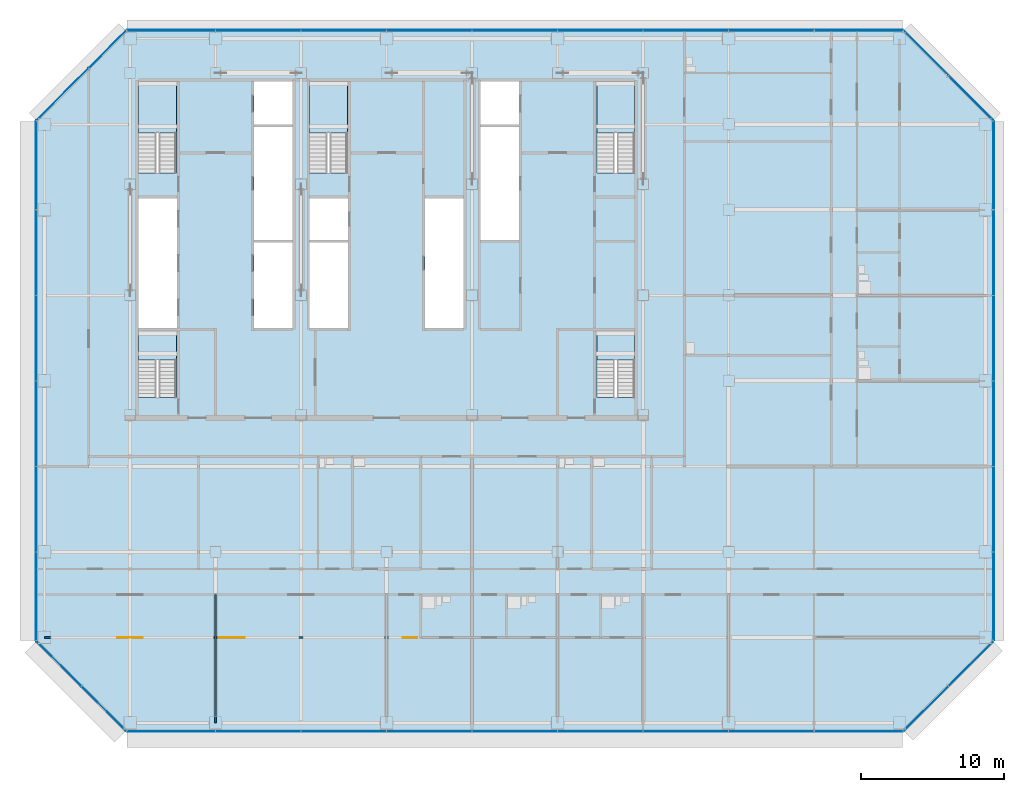
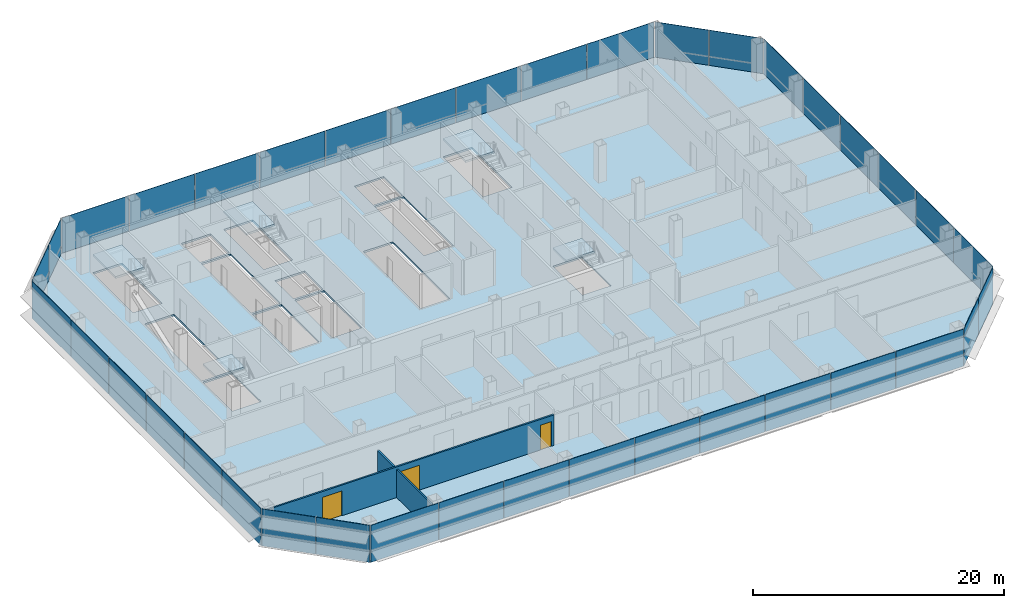
# One storey, part 19 of 26: 38 plates, 6 slabs, 3 doors, 2 walls, 3 openings, 13 elements without a shape of their own.
"""IFC4 building model written with IfcOpenShell, lengths in metres."""

from ifc_helpers import new_model, si_unit, direction, frame, frame_2d, origin, origin_2d, place, context, subcontext, project, spatial, polyline, rectangle, outline, extrude, material, layer, layer_set, type_object, element, fill, aggregate, save


model = new_model("IFC4")

# Units and contexts
model_context = context("Model", 3, precision=1e-05, world=origin(), true_north=direction((0.0, 1.0)))
body_context = subcontext(model_context, "Body", "Model", "MODEL_VIEW")
ifc_project = project(units=[si_unit("LENGTHUNIT", "METRE"), si_unit("AREAUNIT", "SQUARE_METRE"), si_unit("VOLUMEUNIT", "CUBIC_METRE"), si_unit("PLANEANGLEUNIT", "RADIAN"), si_unit("MASSUNIT", "GRAM", prefix="KILO")], contexts=[model_context])

# Site, building, storey
site_placement = place(None, origin())
site = spatial("IfcSite", under=ifc_project, at=site_placement, CompositionType="ELEMENT")
building_placement = place(site_placement, origin())
building = spatial("IfcBuilding", under=site, at=building_placement, Name="Sorahane Residences", CompositionType="ELEMENT")
storey_placement = place(building_placement, frame((0.0, 0.0, 71.39990234375)))
storey = spatial("IfcBuildingStorey", under=building, at=storey_placement, Name="L14", CompositionType="ELEMENT", Elevation=71.39990234375)

# Slab
ifc_material_1 = material(Name="Concrete C35", Category="concrete")
ifc_layer_1 = layer(ifc_material_1, 0.179931640625)
ifc_layer_set_1 = layer_set([ifc_layer_1], Name="Composite floor slab 180 mm Concrete C35")
slab_type_1 = type_object("IfcSlabType", Name="Composite floor slab 180 mm Concrete C35", PredefinedType="FLOOR", material=ifc_layer_set_1)
slab_1_placement = place(storey_placement, frame((0.0, 0.0, -0.179931640625)))
element("IfcSlab", 1, at=slab_1_placement, inside=storey, type_object=slab_type_1, Name="Slab L14", PredefinedType="FLOOR", context=body_context, shape_type="SweptSolid", body=[
    extrude(outline(polyline([(5.75146484375, -0.60009765625), (-0.60009765625, 5.75146484375), (-0.60009765625, 42.24853515625), (5.75146484375, 48.60009765625), (60.24853515625, 48.60009765625), (66.60009765625, 42.24853515625), (66.60009765625, 5.75146484375), (60.24853515625, -0.60009765625), (5.75146484375, -0.60009765625)]), holes=[polyline([(18.60009765625, 27.699951171875), (21.300048828125, 27.699951171875), (21.300048828125, 33.699951171875), (18.60009765625, 33.699951171875), (18.60009765625, 27.699951171875)]), polyline([(30.60009765625, 42.0), (33.300048828125, 42.0), (33.300048828125, 45.0), (30.60009765625, 45.0), (30.60009765625, 42.0)]), polyline([(14.699951171875, 27.699951171875), (17.39990234375, 27.699951171875), (17.39990234375, 33.699951171875), (14.699951171875, 33.699951171875), (14.699951171875, 27.699951171875)]), polyline([(14.699951171875, 42.0), (17.39990234375, 42.0), (17.39990234375, 45.0), (14.699951171875, 45.0), (14.699951171875, 42.0)]), polyline([(6.60009765625, 27.699951171875), (9.300048828125, 27.699951171875), (9.300048828125, 36.800048828125), (6.60009765625, 36.800048828125), (6.60009765625, 27.699951171875)]), polyline([(9.25, 38.60009765625), (9.25, 45.0), (6.60009765625, 45.0), (6.60009765625, 38.60009765625), (9.25, 38.60009765625)]), polyline([(41.39990234375, 38.60009765625), (41.39990234375, 45.0), (38.75, 45.0), (38.75, 38.60009765625), (41.39990234375, 38.60009765625)]), polyline([(21.25, 38.60009765625), (21.25, 45.0), (18.60009765625, 45.0), (18.60009765625, 38.60009765625), (21.25, 38.60009765625)]), polyline([(9.25, 22.85009765625), (9.25, 27.5), (6.60009765625, 27.5), (6.60009765625, 22.85009765625), (9.25, 22.85009765625)]), polyline([(41.39990234375, 22.85009765625), (41.39990234375, 27.5), (38.75, 27.5), (38.75, 22.85009765625), (41.39990234375, 22.85009765625)]), polyline([(14.699951171875, 33.89990234375), (17.39990234375, 33.89990234375), (17.39990234375, 41.800048828125), (14.699951171875, 41.800048828125), (14.699951171875, 33.89990234375)]), polyline([(30.60009765625, 33.89990234375), (33.300048828125, 33.89990234375), (33.300048828125, 41.800048828125), (30.60009765625, 41.800048828125), (30.60009765625, 33.89990234375)]), polyline([(18.60009765625, 33.89990234375), (21.300048828125, 33.89990234375), (21.300048828125, 36.800048828125), (18.60009765625, 36.800048828125), (18.60009765625, 33.89990234375)]), polyline([(26.699951171875, 27.699951171875), (29.39990234375, 27.699951171875), (29.39990234375, 36.800048828125), (26.699951171875, 36.800048828125), (26.699951171875, 27.699951171875)])]), origin(), (0.0, 0.0, 1.0), 0.179931640625),
])

# Curtain wall, plates
ifc_material_2 = material(Name="Dark low-e glass and black anodised aluminium", Category="aluminium")
curtain_wall_type_1 = type_object("IfcCurtainWallType", Name="Curtain wall CW-1 Typical unitised wall", PredefinedType="NOTDEFINED", material=ifc_material_2)
curtain_wall_1_placement = place(storey_placement, origin())
curtain_wall_1 = element("IfcCurtainWall", 2, at=curtain_wall_1_placement, inside=storey, type_object=curtain_wall_type_1, Name="CW-1 curtain wall L14 S1", PredefinedType="NOTDEFINED")
ifc_material_3 = material(Name="Dark low-e glass with black ceramic frit", Category="glass")
ifc_layer_2 = layer(ifc_material_3, 0.0400390625)
ifc_layer_set_2 = layer_set([ifc_layer_2], Name="Curtain wall glass panel dark low-e with black frit spandrel band")
plate_type = type_object("IfcPlateType", Name="Curtain wall glass panel dark low-e with black frit spandrel band", PredefinedType="CURTAIN_PANEL", material=ifc_layer_set_2)
plate_1_placement = place(storey_placement, frame((8.88818359375, -0.60009765625, -0.179931640625), z_axis=(0.0, 0.0, 1.0), x_axis=(1.0, 0.0, 0.0)))
plate_1 = element("IfcPlate", 3, at=plate_1_placement, type_object=plate_type, Name="CW-1 glass panel L14 S1.1", PredefinedType="CURTAIN_PANEL", context=body_context, shape_type="SweptSolid", body=[
    extrude(rectangle(XDim=6.173583984375, YDim=0.0400390625, at=origin_2d()), origin(), (0.0, 0.0, 1.0), 3.60009765625),
])
plate_2_placement = place(storey_placement, frame((15.0, -0.60009765625, -0.179931640625), z_axis=(0.0, 0.0, 1.0), x_axis=(1.0, 0.0, 0.0)))
plate_2 = element("IfcPlate", 4, at=plate_2_placement, type_object=plate_type, Name="CW-1 glass panel L14 S1.2", PredefinedType="CURTAIN_PANEL", context=body_context, shape_type="SweptSolid", body=[
    extrude(rectangle(XDim=5.949951171875, YDim=0.0400390625, at=origin_2d()), origin(), (0.0, 0.0, 1.0), 3.60009765625),
])
plate_3_placement = place(storey_placement, frame((21.0, -0.60009765625, -0.179931640625), z_axis=(0.0, 0.0, 1.0), x_axis=(1.0, 0.0, 0.0)))
plate_3 = element("IfcPlate", 5, at=plate_3_placement, type_object=plate_type, Name="CW-1 glass panel L14 S1.3", PredefinedType="CURTAIN_PANEL", context=body_context, shape_type="SweptSolid", body=[
    extrude(rectangle(XDim=5.949951171875, YDim=0.0400390625, at=origin_2d()), origin(), (0.0, 0.0, 1.0), 3.60009765625),
])
plate_4_placement = place(storey_placement, frame((27.0, -0.60009765625, -0.179931640625), z_axis=(0.0, 0.0, 1.0), x_axis=(1.0, 0.0, 0.0)))
plate_4 = element("IfcPlate", 6, at=plate_4_placement, type_object=plate_type, Name="CW-1 glass panel L14 S1.4", PredefinedType="CURTAIN_PANEL", context=body_context, shape_type="SweptSolid", body=[
    extrude(rectangle(XDim=5.949951171875, YDim=0.0400390625, at=origin_2d()), origin(), (0.0, 0.0, 1.0), 3.60009765625),
])
plate_5_placement = place(storey_placement, frame((33.0, -0.60009765625, -0.179931640625), z_axis=(0.0, 0.0, 1.0), x_axis=(1.0, 0.0, 0.0)))
plate_5 = element("IfcPlate", 7, at=plate_5_placement, type_object=plate_type, Name="CW-1 glass panel L14 S1.5", PredefinedType="CURTAIN_PANEL", context=body_context, shape_type="SweptSolid", body=[
    extrude(rectangle(XDim=5.949951171875, YDim=0.0400390625, at=origin_2d()), origin(), (0.0, 0.0, 1.0), 3.60009765625),
])
plate_6_placement = place(storey_placement, frame((39.0, -0.60009765625, -0.179931640625), z_axis=(0.0, 0.0, 1.0), x_axis=(1.0, 0.0, 0.0)))
plate_6 = element("IfcPlate", 8, at=plate_6_placement, type_object=plate_type, Name="CW-1 glass panel L14 S1.6", PredefinedType="CURTAIN_PANEL", context=body_context, shape_type="SweptSolid", body=[
    extrude(rectangle(XDim=5.949951171875, YDim=0.0400390625, at=origin_2d()), origin(), (0.0, 0.0, 1.0), 3.60009765625),
])
plate_7_placement = place(storey_placement, frame((45.0, -0.60009765625, -0.179931640625), z_axis=(0.0, 0.0, 1.0), x_axis=(1.0, 0.0, 0.0)))
plate_7 = element("IfcPlate", 9, at=plate_7_placement, type_object=plate_type, Name="CW-1 glass panel L14 S1.7", PredefinedType="CURTAIN_PANEL", context=body_context, shape_type="SweptSolid", body=[
    extrude(rectangle(XDim=5.949951171875, YDim=0.0400390625, at=origin_2d()), origin(), (0.0, 0.0, 1.0), 3.60009765625),
])
plate_8_placement = place(storey_placement, frame((51.0, -0.60009765625, -0.179931640625), z_axis=(0.0, 0.0, 1.0), x_axis=(1.0, 0.0, 0.0)))
plate_8 = element("IfcPlate", 10, at=plate_8_placement, type_object=plate_type, Name="CW-1 glass panel L14 S1.8", PredefinedType="CURTAIN_PANEL", context=body_context, shape_type="SweptSolid", body=[
    extrude(rectangle(XDim=5.949951171875, YDim=0.0400390625, at=origin_2d()), origin(), (0.0, 0.0, 1.0), 3.60009765625),
])
plate_9_placement = place(storey_placement, frame((57.11181640625, -0.60009765625, -0.179931640625), z_axis=(0.0, 0.0, 1.0), x_axis=(1.0, 0.0, 0.0)))
plate_9 = element("IfcPlate", 11, at=plate_9_placement, type_object=plate_type, Name="CW-1 glass panel L14 S1.9", PredefinedType="CURTAIN_PANEL", context=body_context, shape_type="SweptSolid", body=[
    extrude(rectangle(XDim=6.173583984375, YDim=0.0400390625, at=origin_2d()), origin(), (0.0, 0.0, 1.0), 3.60009765625),
])
aggregate(curtain_wall_1, [plate_1, plate_2, plate_3, plate_4, plate_5, plate_6, plate_7, plate_8, plate_9])

ifc_material_4 = material(Name="Dark low-e glass and black anodised aluminium", Category="aluminium")
curtain_wall_type_2 = type_object("IfcCurtainWallType", Name="Curtain wall CW-2 Chamfer unitised wall", PredefinedType="NOTDEFINED", material=ifc_material_4)
curtain_wall_2_placement = place(storey_placement, origin())
curtain_wall_2 = element("IfcCurtainWall", 12, at=curtain_wall_2_placement, inside=storey, type_object=curtain_wall_type_2, Name="CW-2 curtain wall L14 SE1", PredefinedType="NOTDEFINED")
plate_10_placement = place(storey_placement, frame((61.84521484375, 0.996826171875, -0.179931640625), z_axis=(0.0, 0.0, 1.0), x_axis=(0.707106781187, 0.707106781187, 0.0)))
plate_10 = element("IfcPlate", 13, at=plate_10_placement, type_object=plate_type, Name="CW-2 glass panel L14 SE1.1", PredefinedType="CURTAIN_PANEL", context=body_context, shape_type="SweptSolid", body=[
    extrude(rectangle(XDim=4.416259765625, YDim=0.0400390625, at=origin_2d()), origin(), (0.0, 0.0, 1.0), 3.60009765625),
])
plate_11_placement = place(storey_placement, frame((65.003173828125, 4.15478515625, -0.179931640625), z_axis=(0.0, 0.0, 1.0), x_axis=(0.707106781187, 0.707106781187, 0.0)))
plate_11 = element("IfcPlate", 14, at=plate_11_placement, type_object=plate_type, Name="CW-2 glass panel L14 SE1.2", PredefinedType="CURTAIN_PANEL", context=body_context, shape_type="SweptSolid", body=[
    extrude(rectangle(XDim=4.416259765625, YDim=0.0400390625, at=origin_2d()), origin(), (0.0, 0.0, 1.0), 3.60009765625),
])
aggregate(curtain_wall_2, [plate_10, plate_11])

curtain_wall_3_placement = place(storey_placement, origin())
curtain_wall_3 = element("IfcCurtainWall", 15, at=curtain_wall_3_placement, inside=storey, type_object=curtain_wall_type_1, Name="CW-1 curtain wall L14 E1", PredefinedType="NOTDEFINED")
plate_12_placement = place(storey_placement, frame((66.60009765625, 8.88818359375, -0.179931640625), z_axis=(0.0, 0.0, 1.0), x_axis=(0.0, 1.0, 0.0)))
plate_12 = element("IfcPlate", 16, at=plate_12_placement, type_object=plate_type, Name="CW-1 glass panel L14 E1.1", PredefinedType="CURTAIN_PANEL", context=body_context, shape_type="SweptSolid", body=[
    extrude(rectangle(XDim=6.173583984375, YDim=0.0400390625, at=origin_2d()), origin(), (0.0, 0.0, 1.0), 3.60009765625),
])
plate_13_placement = place(storey_placement, frame((66.60009765625, 15.0, -0.179931640625), z_axis=(0.0, 0.0, 1.0), x_axis=(0.0, 1.0, 0.0)))
plate_13 = element("IfcPlate", 17, at=plate_13_placement, type_object=plate_type, Name="CW-1 glass panel L14 E1.2", PredefinedType="CURTAIN_PANEL", context=body_context, shape_type="SweptSolid", body=[
    extrude(rectangle(XDim=5.949951171875, YDim=0.0400390625, at=origin_2d()), origin(), (0.0, 0.0, 1.0), 3.60009765625),
])
plate_14_placement = place(storey_placement, frame((66.60009765625, 21.0, -0.179931640625), z_axis=(0.0, 0.0, 1.0), x_axis=(0.0, 1.0, 0.0)))
plate_14 = element("IfcPlate", 18, at=plate_14_placement, type_object=plate_type, Name="CW-1 glass panel L14 E1.3", PredefinedType="CURTAIN_PANEL", context=body_context, shape_type="SweptSolid", body=[
    extrude(rectangle(XDim=5.949951171875, YDim=0.0400390625, at=origin_2d()), origin(), (0.0, 0.0, 1.0), 3.60009765625),
])
plate_15_placement = place(storey_placement, frame((66.60009765625, 27.0, -0.179931640625), z_axis=(0.0, 0.0, 1.0), x_axis=(0.0, 1.0, 0.0)))
plate_15 = element("IfcPlate", 19, at=plate_15_placement, type_object=plate_type, Name="CW-1 glass panel L14 E1.4", PredefinedType="CURTAIN_PANEL", context=body_context, shape_type="SweptSolid", body=[
    extrude(rectangle(XDim=5.949951171875, YDim=0.0400390625, at=origin_2d()), origin(), (0.0, 0.0, 1.0), 3.60009765625),
])
plate_16_placement = place(storey_placement, frame((66.60009765625, 33.0, -0.179931640625), z_axis=(0.0, 0.0, 1.0), x_axis=(0.0, 1.0, 0.0)))
plate_16 = element("IfcPlate", 20, at=plate_16_placement, type_object=plate_type, Name="CW-1 glass panel L14 E1.5", PredefinedType="CURTAIN_PANEL", context=body_context, shape_type="SweptSolid", body=[
    extrude(rectangle(XDim=5.949951171875, YDim=0.0400390625, at=origin_2d()), origin(), (0.0, 0.0, 1.0), 3.60009765625),
])
plate_17_placement = place(storey_placement, frame((66.60009765625, 39.11181640625, -0.179931640625), z_axis=(0.0, 0.0, 1.0), x_axis=(0.0, 1.0, 0.0)))
plate_17 = element("IfcPlate", 21, at=plate_17_placement, type_object=plate_type, Name="CW-1 glass panel L14 E1.6", PredefinedType="CURTAIN_PANEL", context=body_context, shape_type="SweptSolid", body=[
    extrude(rectangle(XDim=6.173583984375, YDim=0.0400390625, at=origin_2d()), origin(), (0.0, 0.0, 1.0), 3.60009765625),
])
aggregate(curtain_wall_3, [plate_12, plate_13, plate_14, plate_15, plate_16, plate_17])

curtain_wall_4_placement = place(storey_placement, origin())
curtain_wall_4 = element("IfcCurtainWall", 22, at=curtain_wall_4_placement, inside=storey, type_object=curtain_wall_type_2, Name="CW-2 curtain wall L14 NE1", PredefinedType="NOTDEFINED")
plate_18_placement = place(storey_placement, frame((65.003173828125, 43.84521484375, -0.179931640625), z_axis=(0.0, 0.0, 1.0), x_axis=(-0.707106781187, 0.707106781187, 0.0)))
plate_18 = element("IfcPlate", 23, at=plate_18_placement, type_object=plate_type, Name="CW-2 glass panel L14 NE1.1", PredefinedType="CURTAIN_PANEL", context=body_context, shape_type="SweptSolid", body=[
    extrude(rectangle(XDim=4.416259765625, YDim=0.0400390625, at=origin_2d()), origin(), (0.0, 0.0, 1.0), 3.60009765625),
])
plate_19_placement = place(storey_placement, frame((61.84521484375, 47.003173828125, -0.179931640625), z_axis=(0.0, 0.0, 1.0), x_axis=(-0.707106781187, 0.707106781187, 0.0)))
plate_19 = element("IfcPlate", 24, at=plate_19_placement, type_object=plate_type, Name="CW-2 glass panel L14 NE1.2", PredefinedType="CURTAIN_PANEL", context=body_context, shape_type="SweptSolid", body=[
    extrude(rectangle(XDim=4.416259765625, YDim=0.0400390625, at=origin_2d()), origin(), (0.0, 0.0, 1.0), 3.60009765625),
])
aggregate(curtain_wall_4, [plate_18, plate_19])

curtain_wall_5_placement = place(storey_placement, origin())
curtain_wall_5 = element("IfcCurtainWall", 25, at=curtain_wall_5_placement, inside=storey, type_object=curtain_wall_type_1, Name="CW-1 curtain wall L14 N1", PredefinedType="NOTDEFINED")
plate_20_placement = place(storey_placement, frame((57.11181640625, 48.60009765625, -0.179931640625), z_axis=(0.0, 0.0, 1.0), x_axis=(-1.0, 0.0, 0.0)))
plate_20 = element("IfcPlate", 26, at=plate_20_placement, type_object=plate_type, Name="CW-1 glass panel L14 N1.1", PredefinedType="CURTAIN_PANEL", context=body_context, shape_type="SweptSolid", body=[
    extrude(rectangle(XDim=6.173583984375, YDim=0.0400390625, at=origin_2d()), origin(), (0.0, 0.0, 1.0), 3.60009765625),
])
plate_21_placement = place(storey_placement, frame((51.0, 48.60009765625, -0.179931640625), z_axis=(0.0, 0.0, 1.0), x_axis=(-1.0, 0.0, 0.0)))
plate_21 = element("IfcPlate", 27, at=plate_21_placement, type_object=plate_type, Name="CW-1 glass panel L14 N1.2", PredefinedType="CURTAIN_PANEL", context=body_context, shape_type="SweptSolid", body=[
    extrude(rectangle(XDim=5.949951171875, YDim=0.0400390625, at=origin_2d()), origin(), (0.0, 0.0, 1.0), 3.60009765625),
])
plate_22_placement = place(storey_placement, frame((45.0, 48.60009765625, -0.179931640625), z_axis=(0.0, 0.0, 1.0), x_axis=(-1.0, 0.0, 0.0)))
plate_22 = element("IfcPlate", 28, at=plate_22_placement, type_object=plate_type, Name="CW-1 glass panel L14 N1.3", PredefinedType="CURTAIN_PANEL", context=body_context, shape_type="SweptSolid", body=[
    extrude(rectangle(XDim=5.949951171875, YDim=0.0400390625, at=origin_2d()), origin(), (0.0, 0.0, 1.0), 3.60009765625),
])
plate_23_placement = place(storey_placement, frame((39.0, 48.60009765625, -0.179931640625), z_axis=(0.0, 0.0, 1.0), x_axis=(-1.0, 0.0, 0.0)))
plate_23 = element("IfcPlate", 29, at=plate_23_placement, type_object=plate_type, Name="CW-1 glass panel L14 N1.4", PredefinedType="CURTAIN_PANEL", context=body_context, shape_type="SweptSolid", body=[
    extrude(rectangle(XDim=5.949951171875, YDim=0.0400390625, at=origin_2d()), origin(), (0.0, 0.0, 1.0), 3.60009765625),
])
plate_24_placement = place(storey_placement, frame((33.0, 48.60009765625, -0.179931640625), z_axis=(0.0, 0.0, 1.0), x_axis=(-1.0, 0.0, 0.0)))
plate_24 = element("IfcPlate", 30, at=plate_24_placement, type_object=plate_type, Name="CW-1 glass panel L14 N1.5", PredefinedType="CURTAIN_PANEL", context=body_context, shape_type="SweptSolid", body=[
    extrude(rectangle(XDim=5.949951171875, YDim=0.0400390625, at=origin_2d()), origin(), (0.0, 0.0, 1.0), 3.60009765625),
])
plate_25_placement = place(storey_placement, frame((27.0, 48.60009765625, -0.179931640625), z_axis=(0.0, 0.0, 1.0), x_axis=(-1.0, 0.0, 0.0)))
plate_25 = element("IfcPlate", 31, at=plate_25_placement, type_object=plate_type, Name="CW-1 glass panel L14 N1.6", PredefinedType="CURTAIN_PANEL", context=body_context, shape_type="SweptSolid", body=[
    extrude(rectangle(XDim=5.949951171875, YDim=0.0400390625, at=origin_2d()), origin(), (0.0, 0.0, 1.0), 3.60009765625),
])
plate_26_placement = place(storey_placement, frame((21.0, 48.60009765625, -0.179931640625), z_axis=(0.0, 0.0, 1.0), x_axis=(-1.0, 0.0, 0.0)))
plate_26 = element("IfcPlate", 32, at=plate_26_placement, type_object=plate_type, Name="CW-1 glass panel L14 N1.7", PredefinedType="CURTAIN_PANEL", context=body_context, shape_type="SweptSolid", body=[
    extrude(rectangle(XDim=5.949951171875, YDim=0.0400390625, at=origin_2d()), origin(), (0.0, 0.0, 1.0), 3.60009765625),
])
plate_27_placement = place(storey_placement, frame((15.0, 48.60009765625, -0.179931640625), z_axis=(0.0, 0.0, 1.0), x_axis=(-1.0, 0.0, 0.0)))
plate_27 = element("IfcPlate", 33, at=plate_27_placement, type_object=plate_type, Name="CW-1 glass panel L14 N1.8", PredefinedType="CURTAIN_PANEL", context=body_context, shape_type="SweptSolid", body=[
    extrude(rectangle(XDim=5.949951171875, YDim=0.0400390625, at=origin_2d()), origin(), (0.0, 0.0, 1.0), 3.60009765625),
])
plate_28_placement = place(storey_placement, frame((8.88818359375, 48.60009765625, -0.179931640625), z_axis=(0.0, 0.0, 1.0), x_axis=(-1.0, 0.0, 0.0)))
plate_28 = element("IfcPlate", 34, at=plate_28_placement, type_object=plate_type, Name="CW-1 glass panel L14 N1.9", PredefinedType="CURTAIN_PANEL", context=body_context, shape_type="SweptSolid", body=[
    extrude(rectangle(XDim=6.173583984375, YDim=0.0400390625, at=origin_2d()), origin(), (0.0, 0.0, 1.0), 3.60009765625),
])
aggregate(curtain_wall_5, [plate_20, plate_21, plate_22, plate_23, plate_24, plate_25, plate_26, plate_27, plate_28])

curtain_wall_6_placement = place(storey_placement, origin())
curtain_wall_6 = element("IfcCurtainWall", 35, at=curtain_wall_6_placement, inside=storey, type_object=curtain_wall_type_2, Name="CW-2 curtain wall L14 NW1", PredefinedType="NOTDEFINED")
plate_29_placement = place(storey_placement, frame((4.4169921875, 47.265625, -0.179931640625), z_axis=(0.0, 0.0, 1.0), x_axis=(-0.707106781187, -0.707106781187, 0.0)))
plate_29 = element("IfcPlate", 36, at=plate_29_placement, type_object=plate_type, Name="CW-2 glass panel L14 NW1.1", PredefinedType="CURTAIN_PANEL", context=body_context, shape_type="SweptSolid", body=[
    extrude(rectangle(XDim=3.67431640625, YDim=0.0400390625, at=origin_2d()), origin(), (0.0, 0.0, 1.0), 3.60009765625),
])
plate_30_placement = place(storey_placement, frame((1.259033203125, 44.107421875, -0.179931640625), z_axis=(0.0, 0.0, 1.0), x_axis=(-0.707106781187, -0.707106781187, 0.0)))
plate_30 = element("IfcPlate", 37, at=plate_30_placement, type_object=plate_type, Name="CW-2 glass panel L14 NW1.2", PredefinedType="CURTAIN_PANEL", context=body_context, shape_type="SweptSolid", body=[
    extrude(rectangle(XDim=5.157958984375, YDim=0.0400390625, at=origin_2d()), origin(), (0.0, 0.0, 1.0), 3.60009765625),
])
aggregate(curtain_wall_6, [plate_29, plate_30])

curtain_wall_7_placement = place(storey_placement, origin())
curtain_wall_7 = element("IfcCurtainWall", 38, at=curtain_wall_7_placement, inside=storey, type_object=curtain_wall_type_1, Name="CW-1 curtain wall L14 W1", PredefinedType="NOTDEFINED")
plate_31_placement = place(storey_placement, frame((-0.60009765625, 39.11181640625, -0.179931640625), z_axis=(0.0, 0.0, 1.0), x_axis=(0.0, -1.0, 0.0)))
plate_31 = element("IfcPlate", 39, at=plate_31_placement, type_object=plate_type, Name="CW-1 glass panel L14 W1.1", PredefinedType="CURTAIN_PANEL", context=body_context, shape_type="SweptSolid", body=[
    extrude(rectangle(XDim=6.173583984375, YDim=0.0400390625, at=origin_2d()), origin(), (0.0, 0.0, 1.0), 3.60009765625),
])
plate_32_placement = place(storey_placement, frame((-0.60009765625, 33.0, -0.179931640625), z_axis=(0.0, 0.0, 1.0), x_axis=(0.0, -1.0, 0.0)))
plate_32 = element("IfcPlate", 40, at=plate_32_placement, type_object=plate_type, Name="CW-1 glass panel L14 W1.2", PredefinedType="CURTAIN_PANEL", context=body_context, shape_type="SweptSolid", body=[
    extrude(rectangle(XDim=5.949951171875, YDim=0.0400390625, at=origin_2d()), origin(), (0.0, 0.0, 1.0), 3.60009765625),
])
plate_33_placement = place(storey_placement, frame((-0.60009765625, 27.0, -0.179931640625), z_axis=(0.0, 0.0, 1.0), x_axis=(0.0, -1.0, 0.0)))
plate_33 = element("IfcPlate", 41, at=plate_33_placement, type_object=plate_type, Name="CW-1 glass panel L14 W1.3", PredefinedType="CURTAIN_PANEL", context=body_context, shape_type="SweptSolid", body=[
    extrude(rectangle(XDim=5.949951171875, YDim=0.0400390625, at=origin_2d()), origin(), (0.0, 0.0, 1.0), 3.60009765625),
])
plate_34_placement = place(storey_placement, frame((-0.60009765625, 21.0, -0.179931640625), z_axis=(0.0, 0.0, 1.0), x_axis=(0.0, -1.0, 0.0)))
plate_34 = element("IfcPlate", 42, at=plate_34_placement, type_object=plate_type, Name="CW-1 glass panel L14 W1.4", PredefinedType="CURTAIN_PANEL", context=body_context, shape_type="SweptSolid", body=[
    extrude(rectangle(XDim=5.949951171875, YDim=0.0400390625, at=origin_2d()), origin(), (0.0, 0.0, 1.0), 3.60009765625),
])
plate_35_placement = place(storey_placement, frame((-0.60009765625, 15.0, -0.179931640625), z_axis=(0.0, 0.0, 1.0), x_axis=(0.0, -1.0, 0.0)))
plate_35 = element("IfcPlate", 43, at=plate_35_placement, type_object=plate_type, Name="CW-1 glass panel L14 W1.5", PredefinedType="CURTAIN_PANEL", context=body_context, shape_type="SweptSolid", body=[
    extrude(rectangle(XDim=5.949951171875, YDim=0.0400390625, at=origin_2d()), origin(), (0.0, 0.0, 1.0), 3.60009765625),
])
plate_36_placement = place(storey_placement, frame((-0.60009765625, 8.88818359375, -0.179931640625), z_axis=(0.0, 0.0, 1.0), x_axis=(0.0, -1.0, 0.0)))
plate_36 = element("IfcPlate", 44, at=plate_36_placement, type_object=plate_type, Name="CW-1 glass panel L14 W1.6", PredefinedType="CURTAIN_PANEL", context=body_context, shape_type="SweptSolid", body=[
    extrude(rectangle(XDim=6.173583984375, YDim=0.0400390625, at=origin_2d()), origin(), (0.0, 0.0, 1.0), 3.60009765625),
])
aggregate(curtain_wall_7, [plate_31, plate_32, plate_33, plate_34, plate_35, plate_36])

curtain_wall_8_placement = place(storey_placement, origin())
curtain_wall_8 = element("IfcCurtainWall", 45, at=curtain_wall_8_placement, inside=storey, type_object=curtain_wall_type_2, Name="CW-2 curtain wall L14 SW1", PredefinedType="NOTDEFINED")
plate_37_placement = place(storey_placement, frame((0.996826171875, 4.15478515625, -0.179931640625), z_axis=(0.0, 0.0, 1.0), x_axis=(0.707106781187, -0.707106781187, 0.0)))
plate_37 = element("IfcPlate", 46, at=plate_37_placement, type_object=plate_type, Name="CW-2 glass panel L14 SW1.1", PredefinedType="CURTAIN_PANEL", context=body_context, shape_type="SweptSolid", body=[
    extrude(rectangle(XDim=4.416259765625, YDim=0.0400390625, at=origin_2d()), origin(), (0.0, 0.0, 1.0), 3.60009765625),
])
plate_38_placement = place(storey_placement, frame((4.15478515625, 0.996826171875, -0.179931640625), z_axis=(0.0, 0.0, 1.0), x_axis=(0.707106781187, -0.707106781187, 0.0)))
plate_38 = element("IfcPlate", 47, at=plate_38_placement, type_object=plate_type, Name="CW-2 glass panel L14 SW1.2", PredefinedType="CURTAIN_PANEL", context=body_context, shape_type="SweptSolid", body=[
    extrude(rectangle(XDim=4.416259765625, YDim=0.0400390625, at=origin_2d()), origin(), (0.0, 0.0, 1.0), 3.60009765625),
])
aggregate(curtain_wall_8, [plate_37, plate_38])

# Stair, slab
ifc_material_5 = material(Name="Concrete C40", Category="concrete")
stair_type = type_object("IfcStairType", Name="Dog-leg stair 1250 Concrete C40", PredefinedType="HALF_TURN_STAIR", material=ifc_material_5)
stair_1_placement = place(storey_placement, origin())
stair_1 = element("IfcStair", 48, at=stair_1_placement, inside=storey, type_object=stair_type, Name="L14 Stair S1", PredefinedType="HALF_TURN_STAIR")
ifc_material_6 = material(Name="Concrete C40", Category="concrete")
ifc_layer_3 = layer(ifc_material_6, 0.199951171875)
ifc_layer_set_3 = layer_set([ifc_layer_3], Name="Stair landing 200 Concrete C40")
slab_type_2 = type_object("IfcSlabType", Name="Stair landing 200 Concrete C40", PredefinedType="LANDING", material=ifc_layer_set_3)
slab_2_placement = place(storey_placement, frame((0.0, 0.0, 1.60009765625)))
slab_2 = element("IfcSlab", 49, at=slab_2_placement, type_object=slab_type_2, Name="S1 landing 1", PredefinedType="LANDING", context=body_context, shape_type="SweptSolid", body=[
    extrude(outline(polyline([(9.25, 41.39990234375), (9.25, 45.0), (6.60009765625, 45.0), (6.60009765625, 41.39990234375), (9.25, 41.39990234375)])), origin(), (0.0, 0.0, 1.0), 0.199951171875),
])
aggregate(stair_1, [slab_2])

stair_2_placement = place(storey_placement, origin())
stair_2 = element("IfcStair", 50, at=stair_2_placement, inside=storey, type_object=stair_type, Name="L14 Stair S2", PredefinedType="HALF_TURN_STAIR")
slab_3_placement = place(storey_placement, frame((0.0, 0.0, 1.60009765625)))
slab_3 = element("IfcSlab", 51, at=slab_3_placement, type_object=slab_type_2, Name="S2 landing 1", PredefinedType="LANDING", context=body_context, shape_type="SweptSolid", body=[
    extrude(outline(polyline([(41.39990234375, 41.39990234375), (41.39990234375, 45.0), (38.75, 45.0), (38.75, 41.39990234375), (41.39990234375, 41.39990234375)])), origin(), (0.0, 0.0, 1.0), 0.199951171875),
])
aggregate(stair_2, [slab_3])

stair_3_placement = place(storey_placement, origin())
stair_3 = element("IfcStair", 52, at=stair_3_placement, inside=storey, type_object=stair_type, Name="L14 Stair S3", PredefinedType="HALF_TURN_STAIR")
slab_4_placement = place(storey_placement, frame((0.0, 0.0, 1.60009765625)))
slab_4 = element("IfcSlab", 53, at=slab_4_placement, type_object=slab_type_2, Name="S3 landing 1", PredefinedType="LANDING", context=body_context, shape_type="SweptSolid", body=[
    extrude(outline(polyline([(21.25, 41.39990234375), (21.25, 45.0), (18.60009765625, 45.0), (18.60009765625, 41.39990234375), (21.25, 41.39990234375)])), origin(), (0.0, 0.0, 1.0), 0.199951171875),
])
aggregate(stair_3, [slab_4])

stair_4_placement = place(storey_placement, origin())
stair_4 = element("IfcStair", 54, at=stair_4_placement, inside=storey, type_object=stair_type, Name="L14 Stair S4", PredefinedType="HALF_TURN_STAIR")
slab_5_placement = place(storey_placement, frame((0.0, 0.0, 1.60009765625)))
slab_5 = element("IfcSlab", 55, at=slab_5_placement, type_object=slab_type_2, Name="S4 landing 1", PredefinedType="LANDING", context=body_context, shape_type="SweptSolid", body=[
    extrude(outline(polyline([(9.25, 25.449951171875), (9.25, 27.5), (6.60009765625, 27.5), (6.60009765625, 25.449951171875), (9.25, 25.449951171875)])), origin(), (0.0, 0.0, 1.0), 0.199951171875),
])
aggregate(stair_4, [slab_5])

stair_5_placement = place(storey_placement, origin())
stair_5 = element("IfcStair", 56, at=stair_5_placement, inside=storey, type_object=stair_type, Name="L14 Stair S5", PredefinedType="HALF_TURN_STAIR")
slab_6_placement = place(storey_placement, frame((0.0, 0.0, 1.60009765625)))
slab_6 = element("IfcSlab", 57, at=slab_6_placement, type_object=slab_type_2, Name="S5 landing 1", PredefinedType="LANDING", context=body_context, shape_type="SweptSolid", body=[
    extrude(outline(polyline([(41.39990234375, 25.449951171875), (41.39990234375, 27.5), (38.75, 27.5), (38.75, 25.449951171875), (41.39990234375, 25.449951171875)])), origin(), (0.0, 0.0, 1.0), 0.199951171875),
])
aggregate(stair_5, [slab_6])

# Wall
ifc_material_7 = material(Name="Gypsum board partition on steel studs", Category="steel")
ifc_layer_4 = layer(ifc_material_7, 0.14990234375)
ifc_layer_set_4 = layer_set([ifc_layer_4], Name="Partition 150 EI 90")
wall_type = type_object("IfcWallType", Name="Partition 150 EI 90", PredefinedType="PARTITIONING", material=ifc_layer_set_4)
wall_1_placement = place(storey_placement, frame((12.0, 0.0, 0.0), z_axis=(0.0, 0.0, 1.0), x_axis=(0.0, 1.0, 0.0)))
element("IfcWall", 58, at=wall_1_placement, inside=storey, type_object=wall_type, Name="L14 partition", PredefinedType="PARTITIONING", context=body_context, shape_type="SweptSolid", body=[
    extrude(rectangle(XDim=9.0, YDim=0.14990234375, at=frame_2d((4.5, 0.0))), origin(), (0.0, 0.0, 1.0), 2.72021484375),
])

# Wall, openings, doors
wall_2_placement = place(storey_placement, frame((0.0, 6.0, 0.0), z_axis=(0.0, 0.0, 1.0), x_axis=(1.0, 0.0, 0.0)))
wall_2 = element("IfcWall", 59, at=wall_2_placement, inside=storey, type_object=wall_type, Name="L14 partition", PredefinedType="PARTITIONING", context=body_context, shape_type="SweptSolid", body=[
    extrude(rectangle(XDim=26.39990234375, YDim=0.14990234375, at=frame_2d((13.199951171875, 0.0))), origin(), (0.0, 0.0, 1.0), 2.97021484375),
])
opening_1_placement = place(wall_2_placement, frame((5.10009765625, 0.0, 0.0)))
opening_1 = element("IfcOpeningElement", 60, at=opening_1_placement, cuts=wall_2, Name="Opening L14-09", PredefinedType="OPENING", context=body_context, shape_type="SweptSolid", body=[
    extrude(rectangle(XDim=1.800048828125, YDim=2.39990234375, at=frame_2d((0.89990234375, 1.199951171875))), frame((0.0, 0.0849609375, 0.0), z_axis=(0.0, -1.0, 0.0), x_axis=(1.0, 0.0, 0.0)), (0.0, 0.0, 1.0), 0.169921875),
])
opening_2_placement = place(wall_2_placement, frame((12.25, 0.0, 0.0)))
opening_2 = element("IfcOpeningElement", 61, at=opening_2_placement, cuts=wall_2, Name="Opening L14-10", PredefinedType="OPENING", context=body_context, shape_type="SweptSolid", body=[
    extrude(rectangle(XDim=1.800048828125, YDim=2.39990234375, at=frame_2d((0.89990234375, 1.199951171875))), frame((0.0, 0.0849609375, 0.0), z_axis=(0.0, -1.0, 0.0), x_axis=(1.0, 0.0, 0.0)), (0.0, 0.0, 1.0), 0.169921875),
])
opening_3_placement = place(wall_2_placement, frame((25.14990234375, 0.0, 0.0)))
opening_3 = element("IfcOpeningElement", 62, at=opening_3_placement, cuts=wall_2, Name="Opening L14-11", PredefinedType="OPENING", context=body_context, shape_type="SweptSolid", body=[
    extrude(rectangle(XDim=1.0, YDim=2.39990234375, at=frame_2d((0.5, 1.199951171875))), frame((0.0, 0.0849609375, 0.0), z_axis=(0.0, -1.0, 0.0), x_axis=(1.0, 0.0, 0.0)), (0.0, 0.0, 1.0), 0.169921875),
])
ifc_material_8 = material(Name="Timber veneered fire door", Category="wood")
door_type_1 = type_object("IfcDoorType", Name="Double door 1800x2400 FD30", OperationType="NOTDEFINED", PredefinedType="DOOR", material=ifc_material_8)
door_1_placement = place(opening_1_placement, frame((1.800048828125, 0.0, 0.0), z_axis=(0.0, 0.0, 1.0), x_axis=(-1.0, 0.0, 0.0)))
door_1 = element("IfcDoor", 63, at=door_1_placement, inside=storey, type_object=door_type_1, Name="Double door L14-09", OperationType="SINGLE_SWING_LEFT", OverallHeight=2.39990234375, OverallWidth=1.800048828125, PredefinedType="DOOR", context=body_context, shape_type="SweptSolid", body=[
    extrude(rectangle(XDim=1.800048828125, YDim=2.39990234375, at=frame_2d((0.89990234375, 1.199951171875))), frame((0.0, 0.02490234375, 0.0), z_axis=(0.0, -1.0, 0.0), x_axis=(1.0, 0.0, 0.0)), (0.0, 0.0, 1.0), 0.050048828125),
])
fill(opening_1, door_1)
door_2_placement = place(opening_2_placement, frame((1.800048828125, 0.0, 0.0), z_axis=(0.0, 0.0, 1.0), x_axis=(-1.0, 0.0, 0.0)))
door_2 = element("IfcDoor", 64, at=door_2_placement, inside=storey, type_object=door_type_1, Name="Double door L14-10", OperationType="SINGLE_SWING_RIGHT", OverallHeight=2.39990234375, OverallWidth=1.800048828125, PredefinedType="DOOR", context=body_context, shape_type="SweptSolid", body=[
    extrude(rectangle(XDim=1.800048828125, YDim=2.39990234375, at=frame_2d((0.89990234375, 1.199951171875))), frame((0.0, 0.02490234375, 0.0), z_axis=(0.0, -1.0, 0.0), x_axis=(1.0, 0.0, 0.0)), (0.0, 0.0, 1.0), 0.050048828125),
])
fill(opening_2, door_2)
ifc_material_9 = material(Name="Timber veneered fire door", Category="wood")
door_type_2 = type_object("IfcDoorType", Name="Room door 1000x2400 FD30", OperationType="NOTDEFINED", PredefinedType="DOOR", material=ifc_material_9)
door_3_placement = place(opening_3_placement, frame((1.0, 0.0, 0.0), z_axis=(0.0, 0.0, 1.0), x_axis=(-1.0, 0.0, 0.0)))
door_3 = element("IfcDoor", 65, at=door_3_placement, inside=storey, type_object=door_type_2, Name="Room door L14-11", OperationType="SINGLE_SWING_LEFT", OverallHeight=2.39990234375, OverallWidth=1.0, PredefinedType="DOOR", context=body_context, shape_type="SweptSolid", body=[
    extrude(rectangle(XDim=1.0, YDim=2.39990234375, at=frame_2d((0.5, 1.199951171875))), frame((0.0, 0.02490234375, 0.0), z_axis=(0.0, -1.0, 0.0), x_axis=(1.0, 0.0, 0.0)), (0.0, 0.0, 1.0), 0.050048828125),
])
fill(opening_3, door_3)

save(model, "model.ifc")
